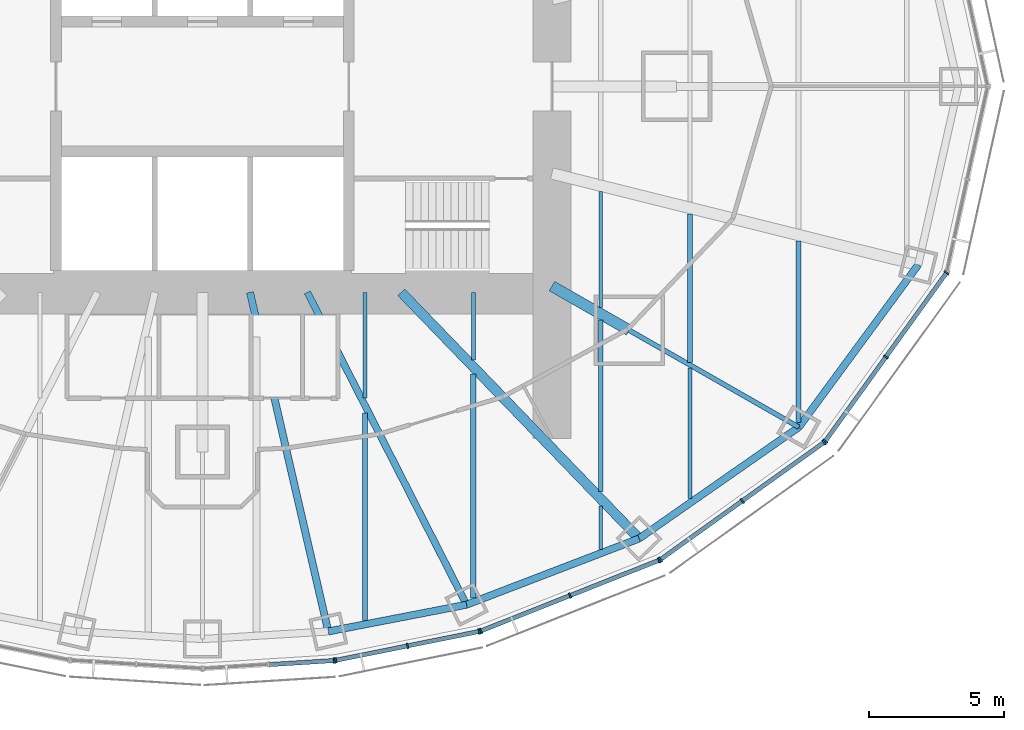
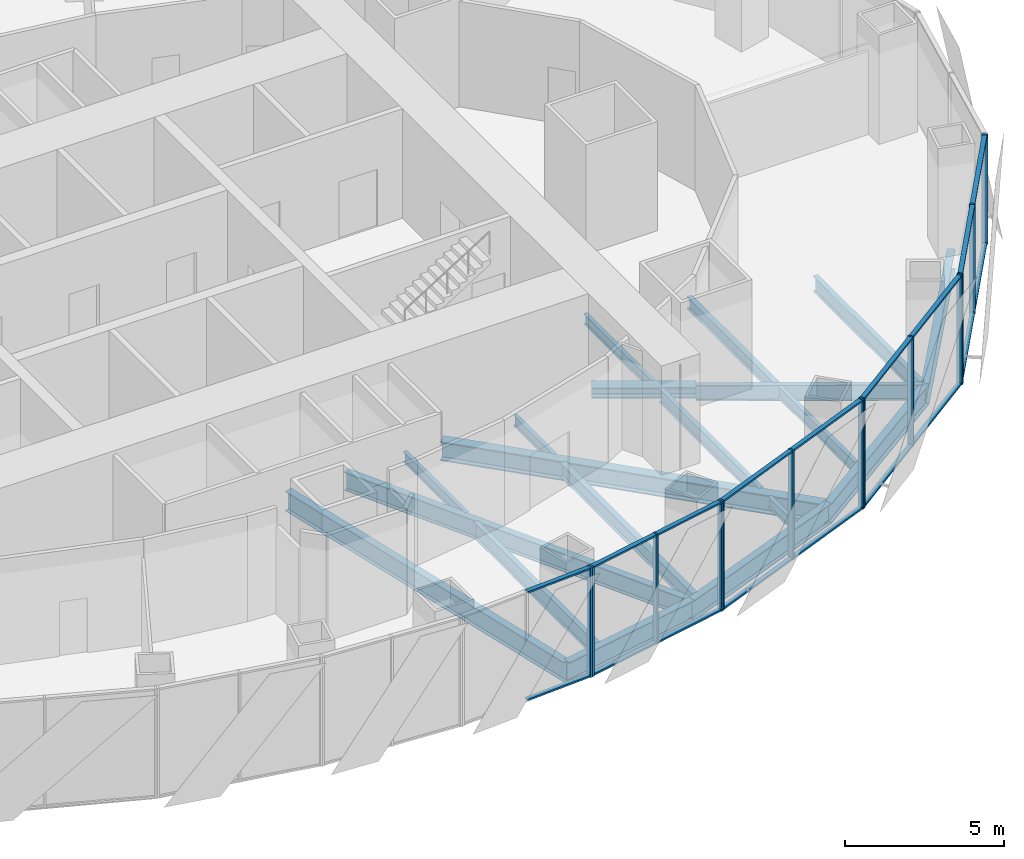
# One storey, part 5 of 18: 31 members, 19 beams, 5 elements without a shape of their own.
"""IFC4 building model written with IfcOpenShell, lengths in metres."""

from ifc_helpers import new_model, si_unit, direction, frame, origin, origin_2d, place, context, subcontext, project, spatial, rectangle, i_section, extrude, material, material_profile, profile_set, type_object, element, aggregate, save


model = new_model("IFC4")

# Units and contexts
model_context = context("Model", 3, precision=1e-05, world=origin(), true_north=direction((0.0, 1.0)))
body_context = subcontext(model_context, "Body", "Model", "MODEL_VIEW")
ifc_project = project(units=[si_unit("LENGTHUNIT", "METRE"), si_unit("AREAUNIT", "SQUARE_METRE"), si_unit("VOLUMEUNIT", "CUBIC_METRE"), si_unit("PLANEANGLEUNIT", "RADIAN"), si_unit("MASSUNIT", "GRAM", prefix="KILO")], contexts=[model_context])

# Site, building, storey
site_placement = place(None, origin())
site = spatial("IfcSite", under=ifc_project, at=site_placement, CompositionType="ELEMENT")
building_placement = place(site_placement, origin())
building = spatial("IfcBuilding", under=site, at=building_placement, Name="Lantaw Convention Tower", CompositionType="ELEMENT")
storey_placement = place(building_placement, frame((0.0, 0.0, 184.60009765625)))
storey = spatial("IfcBuildingStorey", under=building, at=storey_placement, Name="L43", CompositionType="ELEMENT", Elevation=184.60009765625)

# Beams
ifc_material_1 = material(Name="Steel ASTM A992", Category="steel")
ifc_material_profile_1 = material_profile(ifc_material_1, i_section(OverallWidth=0.2666015625, OverallDepth=0.76953125, WebThickness=0.015625, FlangeThickness=0.025390625, FilletRadius=0.0126953125, at=origin_2d()), Name="W30X132")
ifc_profile_set_1 = profile_set([ifc_material_profile_1], Name="Steel ASTM A992")
beam_type_1 = type_object("IfcBeamType", Name="Beam E W30X132", PredefinedType="SPANDREL", material=ifc_profile_set_1)
beam_1_placement = place(storey_placement, frame((4.64501953125, -20.1201171875, -0.534912109375), z_axis=(0.981796805654, 0.189934284446, 0.0), x_axis=(-0.189934284446, 0.981796805654, 0.0)))
element("IfcBeam", 1, at=beam_1_placement, inside=storey, type_object=beam_type_1, Name="Edge beam 20", PredefinedType="SPANDREL", context=body_context, shape_type="SweptSolid", body=[
    extrude(i_section(OverallWidth=0.2666015625, OverallDepth=0.76953125, WebThickness=0.015625, FlangeThickness=0.025390625, FilletRadius=0.0126953125, at=origin_2d()), origin(), (0.0, 0.0, 1.0), 5.1982421875),
])
beam_2_placement = place(storey_placement, frame((9.74853515625, -19.1328125, -0.534912109375), z_axis=(0.933691081977, 0.358079549033, 0.0), x_axis=(-0.358079549033, 0.933691081977, 0.0)))
element("IfcBeam", 2, at=beam_2_placement, inside=storey, type_object=beam_type_1, Name="Edge beam 21", PredefinedType="SPANDREL", context=body_context, shape_type="SweptSolid", body=[
    extrude(i_section(OverallWidth=0.2666015625, OverallDepth=0.76953125, WebThickness=0.015625, FlangeThickness=0.025390625, FilletRadius=0.0126953125, at=origin_2d()), origin(), (0.0, 0.0, 1.0), 6.821533203125),
])
beam_3_placement = place(storey_placement, frame((16.11767578125, -16.690185546875, -0.534912109375), z_axis=(0.820310765287, 0.57191804339, 0.0), x_axis=(-0.57191804339, 0.820310765287, 0.0)))
element("IfcBeam", 3, at=beam_3_placement, inside=storey, type_object=beam_type_1, Name="Edge beam 22", PredefinedType="SPANDREL", context=body_context, shape_type="SweptSolid", body=[
    extrude(i_section(OverallWidth=0.2666015625, OverallDepth=0.76953125, WebThickness=0.015625, FlangeThickness=0.025390625, FilletRadius=0.0126953125, at=origin_2d()), origin(), (0.0, 0.0, 1.0), 7.187744140625),
])
beam_4_placement = place(storey_placement, frame((22.013916015625, -12.579345703125, -0.534912109375), z_axis=(0.5923891972, 0.805651934176, 0.0), x_axis=(-0.805651934176, 0.5923891972, 0.0)))
element("IfcBeam", 4, at=beam_4_placement, inside=storey, type_object=beam_type_1, Name="Edge beam 23", PredefinedType="SPANDREL", context=body_context, shape_type="SweptSolid", body=[
    extrude(i_section(OverallWidth=0.2666015625, OverallDepth=0.76953125, WebThickness=0.015625, FlangeThickness=0.025390625, FilletRadius=0.0126953125, at=origin_2d()), origin(), (0.0, 0.0, 1.0), 7.437744140625),
])
ifc_material_profile_2 = material_profile(ifc_material_1, i_section(OverallWidth=0.177978515625, OverallDepth=0.599365234375, WebThickness=0.010009765625, FlangeThickness=0.012939453125, FilletRadius=0.012939453125, at=origin_2d()), Name="W24X55")
ifc_profile_set_2 = profile_set([ifc_material_profile_2], Name="Steel ASTM A992")
beam_type_2 = type_object("IfcBeamType", Name="Beam G W24X55", PredefinedType="BEAM", material=ifc_profile_set_2)
beam_5_placement = place(storey_placement, frame((15.75, -9.0, -0.44970703125), z_axis=(0.868245224608, -0.496135293993, 0.0), x_axis=(0.496135293993, 0.868245224608, 0.0)))
element("IfcBeam", 5, at=beam_5_placement, inside=storey, type_object=beam_type_2, Name="Floor girder on ray 23", PredefinedType="BEAM", context=body_context, shape_type="SweptSolid", body=[
    extrude(i_section(OverallWidth=0.177978515625, OverallDepth=0.599365234375, WebThickness=0.010009765625, FlangeThickness=0.012939453125, FilletRadius=0.012939453125, at=origin_2d()), origin(), (0.0, 0.0, 1.0), 7.21435546875),
])
ifc_material_profile_3 = material_profile(ifc_material_1, i_section(OverallWidth=0.25390625, OverallDepth=0.700927734375, WebThickness=0.015380859375, FlangeThickness=0.02783203125, FilletRadius=0.01513671875, at=origin_2d()), Name="W27X129")
ifc_profile_set_3 = profile_set([ifc_material_profile_3], Name="Steel ASTM A992")
beam_type_3 = type_object("IfcBeamType", Name="Beam G W27X129", PredefinedType="BEAM", material=ifc_profile_set_3)
beam_6_placement = place(storey_placement, frame((3.872314453125, -7.60009765625, -0.500732421875), z_axis=(0.453991051051, -0.891006243281, 0.0), x_axis=(0.891006243281, 0.453991051051, 0.0)))
element("IfcBeam", 6, at=beam_6_placement, inside=storey, type_object=beam_type_3, Name="Floor girder on ray 21", PredefinedType="BEAM", context=body_context, shape_type="SweptSolid", body=[
    extrude(i_section(OverallWidth=0.25390625, OverallDepth=0.700927734375, WebThickness=0.015380859375, FlangeThickness=0.02783203125, FilletRadius=0.01513671875, at=origin_2d()), origin(), (0.0, 0.0, 1.0), 12.943359375),
])
ifc_material_profile_4 = material_profile(ifc_material_1, i_section(OverallWidth=0.360595703125, OverallDepth=0.72900390625, WebThickness=0.023193359375, FlangeThickness=0.041015625, FilletRadius=0.0126953125, at=origin_2d()), Name="W27X235")
ifc_profile_set_4 = profile_set([ifc_material_profile_4], Name="Steel ASTM A992")
beam_type_4 = type_object("IfcBeamType", Name="Beam G W27X235", PredefinedType="BEAM", material=ifc_profile_set_4)
beam_7_placement = place(storey_placement, frame((7.33935546875, -7.60009765625, -0.5146484375), z_axis=(0.694663467407, -0.719334878239, 0.0), x_axis=(0.719334878239, 0.694663467407, 0.0)))
element("IfcBeam", 7, at=beam_7_placement, inside=storey, type_object=beam_type_4, Name="Floor girder on ray 22", PredefinedType="BEAM", context=body_context, shape_type="SweptSolid", body=[
    extrude(i_section(OverallWidth=0.360595703125, OverallDepth=0.72900390625, WebThickness=0.023193359375, FlangeThickness=0.041015625, FilletRadius=0.0126953125, at=origin_2d()), origin(), (0.0, 0.0, 1.0), 12.63671875),
])
ifc_material_profile_5 = material_profile(ifc_material_1, i_section(OverallWidth=0.2666015625, OverallDepth=0.7568359375, WebThickness=0.013916015625, FlangeThickness=0.019287109375, FilletRadius=0.0126953125, at=origin_2d()), Name="W30X108")
ifc_profile_set_5 = profile_set([ifc_material_profile_5], Name="Steel ASTM A992")
beam_type_5 = type_object("IfcBeamType", Name="Beam G W30X108", PredefinedType="BEAM", material=ifc_profile_set_5)
beam_8_placement = place(storey_placement, frame((1.754638671875, -7.60009765625, -0.528564453125), z_axis=(0.224944153104, -0.974371658036, 0.0), x_axis=(0.974371658036, 0.224944153104, 0.0)))
element("IfcBeam", 8, at=beam_8_placement, inside=storey, type_object=beam_type_5, Name="Floor girder on ray 20", PredefinedType="BEAM", context=body_context, shape_type="SweptSolid", body=[
    extrude(i_section(OverallWidth=0.2666015625, OverallDepth=0.7568359375, WebThickness=0.013916015625, FlangeThickness=0.019287109375, FilletRadius=0.0126953125, at=origin_2d()), origin(), (0.0, 0.0, 1.0), 12.849365234375),
])
ifc_material_profile_6 = material_profile(ifc_material_1, i_section(OverallWidth=0.40380859375, OverallDepth=0.406494140625, WebThickness=0.027099609375, FlangeThickness=0.043701171875, FilletRadius=0.01513671875, at=origin_2d()), Name="W14X233")
ifc_profile_set_6 = profile_set([ifc_material_profile_6], Name="Steel ASTM A992")
beam_type_6 = type_object("IfcBeamType", Name="Beam GM W14X233", PredefinedType="BEAM", material=ifc_profile_set_6)
beam_9_placement = place(storey_placement, frame((12.89990234375, -7.371337890625, -0.353271484375), z_axis=(0.868238565244, -0.496146947811, 0.0), x_axis=(0.496146947811, 0.868238565244, 0.0)))
element("IfcBeam", 9, at=beam_9_placement, inside=storey, type_object=beam_type_6, Name="Core link beam on ray 23", PredefinedType="BEAM", context=body_context, shape_type="SweptSolid", body=[
    extrude(i_section(OverallWidth=0.40380859375, OverallDepth=0.406494140625, WebThickness=0.027099609375, FlangeThickness=0.043701171875, FilletRadius=0.01513671875, at=origin_2d()), origin(), (0.0, 0.0, 1.0), 3.28271484375),
])
ifc_material_profile_7 = material_profile(ifc_material_1, i_section(OverallWidth=0.140380859375, OverallDepth=0.40380859375, WebThickness=0.007080078125, FlangeThickness=0.01123046875, FilletRadius=0.01025390625, at=origin_2d()), Name="W16X31")
ifc_profile_set_7 = profile_set([ifc_material_profile_7], Name="Steel ASTM A992")
beam_type_7 = type_object("IfcBeamType", Name="Beam J W16X31", PredefinedType="JOIST", material=ifc_profile_set_7)
beam_10_placement = place(storey_placement, frame((6.0, -11.495849609375, -0.35205078125), z_axis=(0.0, 1.0, 0.0), x_axis=(-1.0, 0.0, 0.0)))
element("IfcBeam", 10, at=beam_10_placement, inside=storey, type_object=beam_type_7, Name="Floor joist", PredefinedType="JOIST", context=body_context, shape_type="SweptSolid", body=[
    extrude(i_section(OverallWidth=0.140380859375, OverallDepth=0.40380859375, WebThickness=0.007080078125, FlangeThickness=0.01123046875, FilletRadius=0.01025390625, at=origin_2d()), origin(), (0.0, 0.0, 1.0), 3.895751953125),
])
beam_11_placement = place(storey_placement, frame((10.0, -10.095703125, -0.35205078125), z_axis=(0.0, 1.0, 0.0), x_axis=(-1.0, 0.0, 0.0)))
element("IfcBeam", 11, at=beam_11_placement, inside=storey, type_object=beam_type_7, Name="Floor joist", PredefinedType="JOIST", context=body_context, shape_type="SweptSolid", body=[
    extrude(i_section(OverallWidth=0.140380859375, OverallDepth=0.40380859375, WebThickness=0.007080078125, FlangeThickness=0.01123046875, FilletRadius=0.01025390625, at=origin_2d()), origin(), (0.0, 0.0, 1.0), 2.49560546875),
])
beam_12_placement = place(storey_placement, frame((14.699951171875, -17.091064453125, -0.35205078125), z_axis=(0.0, 1.0, 0.0), x_axis=(-1.0, 0.0, 0.0)))
element("IfcBeam", 12, at=beam_12_placement, inside=storey, type_object=beam_type_7, Name="Floor joist", PredefinedType="JOIST", context=body_context, shape_type="SweptSolid", body=[
    extrude(i_section(OverallWidth=0.140380859375, OverallDepth=0.40380859375, WebThickness=0.007080078125, FlangeThickness=0.01123046875, FilletRadius=0.01025390625, at=origin_2d()), origin(), (0.0, 0.0, 1.0), 1.609130859375),
])
beam_13_placement = place(storey_placement, frame((14.699951171875, -8.16748046875, -0.35205078125), z_axis=(0.0, 1.0, 0.0), x_axis=(-1.0, 0.0, 0.0)))
element("IfcBeam", 13, at=beam_13_placement, inside=storey, type_object=beam_type_7, Name="Floor joist", PredefinedType="JOIST", context=body_context, shape_type="SweptSolid", body=[
    extrude(i_section(OverallWidth=0.140380859375, OverallDepth=0.40380859375, WebThickness=0.007080078125, FlangeThickness=0.01123046875, FilletRadius=0.01025390625, at=origin_2d()), origin(), (0.0, 0.0, 1.0), 4.28515625),
])
ifc_material_profile_8 = material_profile(ifc_material_1, i_section(OverallWidth=0.15234375, OverallDepth=0.449462890625, WebThickness=0.007568359375, FlangeThickness=0.0107421875, FilletRadius=0.01025390625, at=origin_2d()), Name="W18X35")
ifc_profile_set_8 = profile_set([ifc_material_profile_8], Name="Steel ASTM A992")
beam_type_8 = type_object("IfcBeamType", Name="Beam J W18X35", PredefinedType="JOIST", material=ifc_profile_set_8)
beam_14_placement = place(storey_placement, frame((18.0, -15.21533203125, -0.375), z_axis=(0.0, 1.0, 0.0), x_axis=(-1.0, 0.0, 0.0)))
element("IfcBeam", 14, at=beam_14_placement, inside=storey, type_object=beam_type_8, Name="Floor joist", PredefinedType="JOIST", context=body_context, shape_type="SweptSolid", body=[
    extrude(i_section(OverallWidth=0.15234375, OverallDepth=0.449462890625, WebThickness=0.007568359375, FlangeThickness=0.0107421875, FilletRadius=0.01025390625, at=origin_2d()), origin(), (0.0, 0.0, 1.0), 4.8271484375),
])
ifc_material_profile_9 = material_profile(ifc_material_1, i_section(OverallWidth=0.1904296875, OverallDepth=0.457275390625, WebThickness=0.009033203125, FlangeThickness=0.014404296875, FilletRadius=0.01025390625, at=origin_2d()), Name="W18X50")
ifc_profile_set_9 = profile_set([ifc_material_profile_9], Name="Steel ASTM A992")
beam_type_9 = type_object("IfcBeamType", Name="Beam J W18X50", PredefinedType="JOIST", material=ifc_profile_set_9)
beam_15_placement = place(storey_placement, frame((18.0, -10.18310546875, -0.378662109375), z_axis=(0.0, 1.0, 0.0), x_axis=(-1.0, 0.0, 0.0)))
element("IfcBeam", 15, at=beam_15_placement, inside=storey, type_object=beam_type_9, Name="Floor joist", PredefinedType="JOIST", context=body_context, shape_type="SweptSolid", body=[
    extrude(i_section(OverallWidth=0.1904296875, OverallDepth=0.457275390625, WebThickness=0.009033203125, FlangeThickness=0.014404296875, FilletRadius=0.01025390625, at=origin_2d()), origin(), (0.0, 0.0, 1.0), 5.47802734375),
])
ifc_material_profile_10 = material_profile(ifc_material_1, i_section(OverallWidth=0.1650390625, OverallDepth=0.52587890625, WebThickness=0.0087890625, FlangeThickness=0.011474609375, FilletRadius=0.0126953125, at=origin_2d()), Name="W21X44")
ifc_profile_set_10 = profile_set([ifc_material_profile_10], Name="Steel ASTM A992")
beam_type_10 = type_object("IfcBeamType", Name="Beam J W21X44", PredefinedType="JOIST", material=ifc_profile_set_10)
beam_16_placement = place(storey_placement, frame((14.699951171875, -14.962646484375, -0.4130859375), z_axis=(0.0, 1.0, 0.0), x_axis=(-1.0, 0.0, 0.0)))
element("IfcBeam", 16, at=beam_16_placement, inside=storey, type_object=beam_type_10, Name="Floor joist", PredefinedType="JOIST", context=body_context, shape_type="SweptSolid", body=[
    extrude(i_section(OverallWidth=0.1650390625, OverallDepth=0.52587890625, WebThickness=0.0087890625, FlangeThickness=0.011474609375, FilletRadius=0.0126953125, at=origin_2d()), origin(), (0.0, 0.0, 1.0), 6.330078125),
])
ifc_material_profile_11 = material_profile(ifc_material_1, i_section(OverallWidth=0.2099609375, OverallDepth=0.535888671875, WebThickness=0.010986328125, FlangeThickness=0.017333984375, FilletRadius=0.012939453125, at=origin_2d()), Name="W21X68")
ifc_profile_set_11 = profile_set([ifc_material_profile_11], Name="Steel ASTM A992")
beam_type_11 = type_object("IfcBeamType", Name="Beam J W21X68", PredefinedType="JOIST", material=ifc_profile_set_11)
beam_17_placement = place(storey_placement, frame((10.0, -18.8935546875, -0.41796875), z_axis=(0.0, 1.0, 0.0), x_axis=(-1.0, 0.0, 0.0)))
element("IfcBeam", 17, at=beam_17_placement, inside=storey, type_object=beam_type_11, Name="Floor joist", PredefinedType="JOIST", context=body_context, shape_type="SweptSolid", body=[
    extrude(i_section(OverallWidth=0.2099609375, OverallDepth=0.535888671875, WebThickness=0.010986328125, FlangeThickness=0.017333984375, FilletRadius=0.012939453125, at=origin_2d()), origin(), (0.0, 0.0, 1.0), 8.278564453125),
])
ifc_material_profile_12 = material_profile(ifc_material_1, i_section(OverallWidth=0.177978515625, OverallDepth=0.599365234375, WebThickness=0.010009765625, FlangeThickness=0.012939453125, FilletRadius=0.012939453125, at=origin_2d()), Name="W24X55")
ifc_profile_set_12 = profile_set([ifc_material_profile_12], Name="Steel ASTM A992")
beam_type_12 = type_object("IfcBeamType", Name="Beam J W24X55", PredefinedType="JOIST", material=ifc_profile_set_12)
beam_18_placement = place(storey_placement, frame((6.0, -19.72216796875, -0.44970703125), z_axis=(0.0, 1.0, 0.0), x_axis=(-1.0, 0.0, 0.0)))
element("IfcBeam", 18, at=beam_18_placement, inside=storey, type_object=beam_type_12, Name="Floor joist", PredefinedType="JOIST", context=body_context, shape_type="SweptSolid", body=[
    extrude(i_section(OverallWidth=0.177978515625, OverallDepth=0.599365234375, WebThickness=0.010009765625, FlangeThickness=0.012939453125, FilletRadius=0.012939453125, at=origin_2d()), origin(), (0.0, 0.0, 1.0), 7.666748046875),
])
beam_19_placement = place(storey_placement, frame((22.0, -12.408935546875, -0.44970703125), z_axis=(0.0, 1.0, 0.0), x_axis=(-1.0, 0.0, 0.0)))
element("IfcBeam", 19, at=beam_19_placement, inside=storey, type_object=beam_type_12, Name="Floor joist", PredefinedType="JOIST", context=body_context, shape_type="SweptSolid", body=[
    extrude(i_section(OverallWidth=0.177978515625, OverallDepth=0.599365234375, WebThickness=0.010009765625, FlangeThickness=0.012939453125, FilletRadius=0.012939453125, at=origin_2d()), origin(), (0.0, 0.0, 1.0), 6.70654296875),
])

# Curtain wall, member
ifc_material_2 = material(Name="Aluminium framed curtain wall", Category="aluminium")
curtain_wall_type = type_object("IfcCurtainWallType", Name="Office curtain wall low rise, pale aluminium", PredefinedType="USERDEFINED", material=ifc_material_2)
curtain_wall_1_placement = place(storey_placement, origin())
curtain_wall_1 = element("IfcCurtainWall", 20, at=curtain_wall_1_placement, inside=storey, type_object=curtain_wall_type, Name="Office curtain wall low rise, pale aluminium L43", ObjectType="UNITISED CURTAIN WALL", PredefinedType="USERDEFINED")
ifc_material_3 = material(Name="Aluminium 6063-T6", Category="aluminium")
ifc_material_profile_13 = material_profile(ifc_material_3, rectangle(XDim=0.199951171875, YDim=0.06494140625, at=origin_2d()), Name="CW-O1 mullion 65x200")
ifc_profile_set_13 = profile_set([ifc_material_profile_13], Name="Aluminium 6063-T6")
member_type_1 = type_object("IfcMemberType", Name="CW-O1 mullion 65x200", PredefinedType="MULLION", material=ifc_profile_set_13)
member_1_placement = place(storey_placement, frame((4.860107421875, -21.19384765625, -0.150146484375), z_axis=(0.0, 0.0, 1.0), x_axis=(-0.062865059466, 0.998022035978, 0.0)))
member_1 = element("IfcMember", 21, at=member_1_placement, type_object=member_type_1, Name="CW-O1 mullion 3", PredefinedType="MULLION", context=body_context, shape_type="SweptSolid", body=[
    extrude(rectangle(XDim=0.199951171875, YDim=0.06494140625, at=origin_2d()), origin(), (0.0, 0.0, 1.0), 4.199951171875),
])

# Curtain wall, members
curtain_wall_2_placement = place(storey_placement, origin())
curtain_wall_2 = element("IfcCurtainWall", 22, at=curtain_wall_2_placement, inside=storey, type_object=curtain_wall_type, Name="Office curtain wall low rise, pale aluminium L43", ObjectType="UNITISED CURTAIN WALL", PredefinedType="USERDEFINED")
member_2_placement = place(storey_placement, frame((4.92431640625, -21.185302734375, -0.150146484375), z_axis=(0.0, 0.0, 1.0), x_axis=(-0.197506809659, 0.980301514912, 0.0)))
member_2 = element("IfcMember", 23, at=member_2_placement, type_object=member_type_1, Name="CW-O1 mullion 1", PredefinedType="MULLION", context=body_context, shape_type="SweptSolid", body=[
    extrude(rectangle(XDim=0.199951171875, YDim=0.06494140625, at=origin_2d()), origin(), (0.0, 0.0, 1.0), 4.199951171875),
])
member_3_placement = place(storey_placement, frame((7.5703125, -20.65234375, -0.150146484375), z_axis=(0.0, 0.0, 1.0), x_axis=(-0.197506809659, 0.980301514912, 0.0)))
member_3 = element("IfcMember", 24, at=member_3_placement, type_object=member_type_1, Name="CW-O1 mullion 2", PredefinedType="MULLION", context=body_context, shape_type="SweptSolid", body=[
    extrude(rectangle(XDim=0.199951171875, YDim=0.06494140625, at=origin_2d()), origin(), (0.0, 0.0, 1.0), 4.199951171875),
])
member_4_placement = place(storey_placement, frame((10.216064453125, -20.119140625, -0.150146484375), z_axis=(0.0, 0.0, 1.0), x_axis=(-0.197506809659, 0.980301514912, 0.0)))
member_4 = element("IfcMember", 25, at=member_4_placement, type_object=member_type_1, Name="CW-O1 mullion 3", PredefinedType="MULLION", context=body_context, shape_type="SweptSolid", body=[
    extrude(rectangle(XDim=0.199951171875, YDim=0.06494140625, at=origin_2d()), origin(), (0.0, 0.0, 1.0), 4.199951171875),
])

curtain_wall_3_placement = place(storey_placement, origin())
curtain_wall_3 = element("IfcCurtainWall", 26, at=curtain_wall_3_placement, inside=storey, type_object=curtain_wall_type, Name="Office curtain wall low rise, pale aluminium L43", ObjectType="UNITISED CURTAIN WALL", PredefinedType="USERDEFINED")
member_5_placement = place(storey_placement, frame((10.2783203125, -20.100830078125, -0.150146484375), z_axis=(0.0, 0.0, 1.0), x_axis=(-0.368701907483, 0.929547687544, 0.0)))
member_5 = element("IfcMember", 27, at=member_5_placement, type_object=member_type_1, Name="CW-O1 mullion 1", PredefinedType="MULLION", context=body_context, shape_type="SweptSolid", body=[
    extrude(rectangle(XDim=0.199951171875, YDim=0.06494140625, at=origin_2d()), origin(), (0.0, 0.0, 1.0), 4.199951171875),
])
member_6_placement = place(storey_placement, frame((13.56494140625, -18.797119140625, -0.150146484375), z_axis=(0.0, 0.0, 1.0), x_axis=(-0.368701907483, 0.929547687544, 0.0)))
member_6 = element("IfcMember", 28, at=member_6_placement, type_object=member_type_1, Name="CW-O1 mullion 2", PredefinedType="MULLION", context=body_context, shape_type="SweptSolid", body=[
    extrude(rectangle(XDim=0.199951171875, YDim=0.06494140625, at=origin_2d()), origin(), (0.0, 0.0, 1.0), 4.199951171875),
])
member_7_placement = place(storey_placement, frame((16.8515625, -17.49365234375, -0.150146484375), z_axis=(0.0, 0.0, 1.0), x_axis=(-0.368701907483, 0.929547687544, 0.0)))
member_7 = element("IfcMember", 29, at=member_7_placement, type_object=member_type_1, Name="CW-O1 mullion 3", PredefinedType="MULLION", context=body_context, shape_type="SweptSolid", body=[
    extrude(rectangle(XDim=0.199951171875, YDim=0.06494140625, at=origin_2d()), origin(), (0.0, 0.0, 1.0), 4.199951171875),
])

curtain_wall_4_placement = place(storey_placement, origin())
curtain_wall_4 = element("IfcCurtainWall", 30, at=curtain_wall_4_placement, inside=storey, type_object=curtain_wall_type, Name="Office curtain wall low rise, pale aluminium L43", ObjectType="UNITISED CURTAIN WALL", PredefinedType="USERDEFINED")
member_8_placement = place(storey_placement, frame((16.908203125, -17.462646484375, -0.150146484375), z_axis=(0.0, 0.0, 1.0), x_axis=(-0.581972695693, 0.813208325995, 0.0)))
member_8 = element("IfcMember", 31, at=member_8_placement, type_object=member_type_1, Name="CW-O1 mullion 1", PredefinedType="MULLION", context=body_context, shape_type="SweptSolid", body=[
    extrude(rectangle(XDim=0.199951171875, YDim=0.06494140625, at=origin_2d()), origin(), (0.0, 0.0, 1.0), 4.199951171875),
])
member_9_placement = place(storey_placement, frame((19.92529296875, -15.303466796875, -0.150146484375), z_axis=(0.0, 0.0, 1.0), x_axis=(-0.581972695693, 0.813208325995, 0.0)))
member_9 = element("IfcMember", 32, at=member_9_placement, type_object=member_type_1, Name="CW-O1 mullion 2", PredefinedType="MULLION", context=body_context, shape_type="SweptSolid", body=[
    extrude(rectangle(XDim=0.199951171875, YDim=0.06494140625, at=origin_2d()), origin(), (0.0, 0.0, 1.0), 4.199951171875),
])
member_10_placement = place(storey_placement, frame((22.942626953125, -13.14404296875, -0.150146484375), z_axis=(0.0, 0.0, 1.0), x_axis=(-0.581972695693, 0.813208325995, 0.0)))
member_10 = element("IfcMember", 33, at=member_10_placement, type_object=member_type_1, Name="CW-O1 mullion 3", PredefinedType="MULLION", context=body_context, shape_type="SweptSolid", body=[
    extrude(rectangle(XDim=0.199951171875, YDim=0.06494140625, at=origin_2d()), origin(), (0.0, 0.0, 1.0), 4.199951171875),
])

curtain_wall_5_placement = place(storey_placement, origin())
curtain_wall_5 = element("IfcCurtainWall", 34, at=curtain_wall_5_placement, inside=storey, type_object=curtain_wall_type, Name="Office curtain wall low rise, pale aluminium L43", ObjectType="UNITISED CURTAIN WALL", PredefinedType="USERDEFINED")
member_11_placement = place(storey_placement, frame((22.988037109375, -13.098876953125, -0.150146484375), z_axis=(0.0, 0.0, 1.0), x_axis=(-0.811384633629, 0.584512597221, 0.0)))
member_11 = element("IfcMember", 35, at=member_11_placement, type_object=member_type_1, Name="CW-O1 mullion 1", PredefinedType="MULLION", context=body_context, shape_type="SweptSolid", body=[
    extrude(rectangle(XDim=0.199951171875, YDim=0.06494140625, at=origin_2d()), origin(), (0.0, 0.0, 1.0), 4.199951171875),
])
member_12_placement = place(storey_placement, frame((25.22802734375, -9.9892578125, -0.150146484375), z_axis=(0.0, 0.0, 1.0), x_axis=(-0.811384633629, 0.584512597221, 0.0)))
member_12 = element("IfcMember", 36, at=member_12_placement, type_object=member_type_1, Name="CW-O1 mullion 2", PredefinedType="MULLION", context=body_context, shape_type="SweptSolid", body=[
    extrude(rectangle(XDim=0.199951171875, YDim=0.06494140625, at=origin_2d()), origin(), (0.0, 0.0, 1.0), 4.199951171875),
])
member_13_placement = place(storey_placement, frame((27.46826171875, -6.879638671875, -0.150146484375), z_axis=(0.0, 0.0, 1.0), x_axis=(-0.811384633629, 0.584512597221, 0.0)))
member_13 = element("IfcMember", 37, at=member_13_placement, type_object=member_type_1, Name="CW-O1 mullion 3", PredefinedType="MULLION", context=body_context, shape_type="SweptSolid", body=[
    extrude(rectangle(XDim=0.199951171875, YDim=0.06494140625, at=origin_2d()), origin(), (0.0, 0.0, 1.0), 4.199951171875),
])

# Member
ifc_material_profile_14 = material_profile(ifc_material_3, rectangle(XDim=0.159912109375, YDim=0.06494140625, at=origin_2d()), Name="CW-O1 transom 65x160")
ifc_profile_set_14 = profile_set([ifc_material_profile_14], Name="Aluminium 6063-T6")
member_type_2 = type_object("IfcMemberType", Name="CW-O1 transom 65x160", PredefinedType="USERDEFINED", material=ifc_profile_set_14)
member_14_placement = place(storey_placement, frame((2.478759765625, -21.34375, -0.11767578125), z_axis=(0.998022188463, 0.062862638625, 0.0), x_axis=(-0.062862638625, 0.998022188463, 0.0)))
member_14 = element("IfcMember", 38, at=member_14_placement, type_object=member_type_2, Name="CW-O1 transom 2.1", ObjectType="TRANSOM", PredefinedType="USERDEFINED", context=body_context, shape_type="SweptSolid", body=[
    extrude(rectangle(XDim=0.159912109375, YDim=0.06494140625, at=origin_2d()), origin(), (0.0, 0.0, 1.0), 2.353515625),
])

member_15_placement = place(storey_placement, frame((2.478759765625, -21.34375, 4.017333984375), z_axis=(0.998022188463, 0.062862638625, 0.0), x_axis=(-0.062862638625, 0.998022188463, 0.0)))
member_15 = element("IfcMember", 39, at=member_15_placement, type_object=member_type_2, Name="CW-O1 transom 2.2", ObjectType="TRANSOM", PredefinedType="USERDEFINED", context=body_context, shape_type="SweptSolid", body=[
    extrude(rectangle(XDim=0.159912109375, YDim=0.06494140625, at=origin_2d()), origin(), (0.0, 0.0, 1.0), 2.353515625),
])

aggregate(curtain_wall_1, [member_1, member_14, member_15])

member_16_placement = place(storey_placement, frame((4.956298828125, -21.178955078125, -0.11767578125), z_axis=(0.980298027092, 0.197524120247, 0.0), x_axis=(-0.197524120247, 0.980298027092, 0.0)))
member_16 = element("IfcMember", 40, at=member_16_placement, type_object=member_type_2, Name="CW-O1 transom 1.1", ObjectType="TRANSOM", PredefinedType="USERDEFINED", context=body_context, shape_type="SweptSolid", body=[
    extrude(rectangle(XDim=0.159912109375, YDim=0.06494140625, at=origin_2d()), origin(), (0.0, 0.0, 1.0), 2.634033203125),
])

member_17_placement = place(storey_placement, frame((4.956298828125, -21.178955078125, 4.017333984375), z_axis=(0.980298027092, 0.197524120247, 0.0), x_axis=(-0.197524120247, 0.980298027092, 0.0)))
member_17 = element("IfcMember", 41, at=member_17_placement, type_object=member_type_2, Name="CW-O1 transom 1.2", ObjectType="TRANSOM", PredefinedType="USERDEFINED", context=body_context, shape_type="SweptSolid", body=[
    extrude(rectangle(XDim=0.159912109375, YDim=0.06494140625, at=origin_2d()), origin(), (0.0, 0.0, 1.0), 2.634033203125),
])

member_18_placement = place(storey_placement, frame((7.60205078125, -20.64599609375, -0.11767578125), z_axis=(0.980301643003, 0.197506173891, 0.0), x_axis=(-0.197506173891, 0.980301643003, 0.0)))
member_18 = element("IfcMember", 42, at=member_18_placement, type_object=member_type_2, Name="CW-O1 transom 2.1", ObjectType="TRANSOM", PredefinedType="USERDEFINED", context=body_context, shape_type="SweptSolid", body=[
    extrude(rectangle(XDim=0.159912109375, YDim=0.06494140625, at=origin_2d()), origin(), (0.0, 0.0, 1.0), 2.63427734375),
])

member_19_placement = place(storey_placement, frame((7.60205078125, -20.64599609375, 4.017333984375), z_axis=(0.980301643003, 0.197506173891, 0.0), x_axis=(-0.197506173891, 0.980301643003, 0.0)))
member_19 = element("IfcMember", 43, at=member_19_placement, type_object=member_type_2, Name="CW-O1 transom 2.2", ObjectType="TRANSOM", PredefinedType="USERDEFINED", context=body_context, shape_type="SweptSolid", body=[
    extrude(rectangle(XDim=0.159912109375, YDim=0.06494140625, at=origin_2d()), origin(), (0.0, 0.0, 1.0), 2.63427734375),
])

aggregate(curtain_wall_2, [member_2, member_3, member_4, member_16, member_17, member_18, member_19])

member_20_placement = place(storey_placement, frame((10.308349609375, -20.0888671875, -0.11767578125), z_axis=(0.929540081544, 0.368721082668, 0.0), x_axis=(-0.368721082668, 0.929540081544, 0.0)))
member_20 = element("IfcMember", 44, at=member_20_placement, type_object=member_type_2, Name="CW-O1 transom 1.1", ObjectType="TRANSOM", PredefinedType="USERDEFINED", context=body_context, shape_type="SweptSolid", body=[
    extrude(rectangle(XDim=0.159912109375, YDim=0.06494140625, at=origin_2d()), origin(), (0.0, 0.0, 1.0), 3.470947265625),
])

member_21_placement = place(storey_placement, frame((10.308349609375, -20.0888671875, 4.017333984375), z_axis=(0.929540081544, 0.368721082668, 0.0), x_axis=(-0.368721082668, 0.929540081544, 0.0)))
member_21 = element("IfcMember", 45, at=member_21_placement, type_object=member_type_2, Name="CW-O1 transom 1.2", ObjectType="TRANSOM", PredefinedType="USERDEFINED", context=body_context, shape_type="SweptSolid", body=[
    extrude(rectangle(XDim=0.159912109375, YDim=0.06494140625, at=origin_2d()), origin(), (0.0, 0.0, 1.0), 3.470947265625),
])

member_22_placement = place(storey_placement, frame((13.594970703125, -18.78515625, -0.11767578125), z_axis=(0.929564188507, 0.368660303592, 0.0), x_axis=(-0.368660303592, 0.929564188507, 0.0)))
member_22 = element("IfcMember", 46, at=member_22_placement, type_object=member_type_2, Name="CW-O1 transom 2.1", ObjectType="TRANSOM", PredefinedType="USERDEFINED", context=body_context, shape_type="SweptSolid", body=[
    extrude(rectangle(XDim=0.159912109375, YDim=0.06494140625, at=origin_2d()), origin(), (0.0, 0.0, 1.0), 3.470703125),
])

member_23_placement = place(storey_placement, frame((13.594970703125, -18.78515625, 4.017333984375), z_axis=(0.929564188507, 0.368660303592, 0.0), x_axis=(-0.368660303592, 0.929564188507, 0.0)))
member_23 = element("IfcMember", 47, at=member_23_placement, type_object=member_type_2, Name="CW-O1 transom 2.2", ObjectType="TRANSOM", PredefinedType="USERDEFINED", context=body_context, shape_type="SweptSolid", body=[
    extrude(rectangle(XDim=0.159912109375, YDim=0.06494140625, at=origin_2d()), origin(), (0.0, 0.0, 1.0), 3.470703125),
])

aggregate(curtain_wall_3, [member_5, member_6, member_7, member_20, member_21, member_22, member_23])

member_24_placement = place(storey_placement, frame((16.9345703125, -17.44384765625, -0.11767578125), z_axis=(0.813190089133, 0.581998177777, 0.0), x_axis=(-0.581998177777, 0.813190089133, 0.0)))
member_24 = element("IfcMember", 48, at=member_24_placement, type_object=member_type_2, Name="CW-O1 transom 1.1", ObjectType="TRANSOM", PredefinedType="USERDEFINED", context=body_context, shape_type="SweptSolid", body=[
    extrude(rectangle(XDim=0.159912109375, YDim=0.06494140625, at=origin_2d()), origin(), (0.0, 0.0, 1.0), 3.645263671875),
])

member_25_placement = place(storey_placement, frame((16.9345703125, -17.44384765625, 4.017333984375), z_axis=(0.813190089133, 0.581998177777, 0.0), x_axis=(-0.581998177777, 0.813190089133, 0.0)))
member_25 = element("IfcMember", 49, at=member_25_placement, type_object=member_type_2, Name="CW-O1 transom 1.2", ObjectType="TRANSOM", PredefinedType="USERDEFINED", context=body_context, shape_type="SweptSolid", body=[
    extrude(rectangle(XDim=0.159912109375, YDim=0.06494140625, at=origin_2d()), origin(), (0.0, 0.0, 1.0), 3.645263671875),
])

member_26_placement = place(storey_placement, frame((19.951904296875, -15.284423828125, -0.11767578125), z_axis=(0.813221785972, 0.581953887194, 0.0), x_axis=(-0.581953887194, 0.813221785972, 0.0)))
member_26 = element("IfcMember", 50, at=member_26_placement, type_object=member_type_2, Name="CW-O1 transom 2.1", ObjectType="TRANSOM", PredefinedType="USERDEFINED", context=body_context, shape_type="SweptSolid", body=[
    extrude(rectangle(XDim=0.159912109375, YDim=0.06494140625, at=origin_2d()), origin(), (0.0, 0.0, 1.0), 3.645263671875),
])

member_27_placement = place(storey_placement, frame((19.951904296875, -15.284423828125, 4.017333984375), z_axis=(0.813221785972, 0.581953887194, 0.0), x_axis=(-0.581953887194, 0.813221785972, 0.0)))
member_27 = element("IfcMember", 51, at=member_27_placement, type_object=member_type_2, Name="CW-O1 transom 2.2", ObjectType="TRANSOM", PredefinedType="USERDEFINED", context=body_context, shape_type="SweptSolid", body=[
    extrude(rectangle(XDim=0.159912109375, YDim=0.06494140625, at=origin_2d()), origin(), (0.0, 0.0, 1.0), 3.645263671875),
])

aggregate(curtain_wall_4, [member_8, member_9, member_10, member_24, member_25, member_26, member_27])

member_28_placement = place(storey_placement, frame((23.007080078125, -13.072509765625, -0.11767578125), z_axis=(0.584512973979, 0.811384362217, 0.0), x_axis=(-0.811384362217, 0.584512973979, 0.0)))
member_28 = element("IfcMember", 52, at=member_28_placement, type_object=member_type_2, Name="CW-O1 transom 1.1", ObjectType="TRANSOM", PredefinedType="USERDEFINED", context=body_context, shape_type="SweptSolid", body=[
    extrude(rectangle(XDim=0.159912109375, YDim=0.06494140625, at=origin_2d()), origin(), (0.0, 0.0, 1.0), 3.767578125),
])

member_29_placement = place(storey_placement, frame((23.007080078125, -13.072509765625, 4.017333984375), z_axis=(0.584512973979, 0.811384362217, 0.0), x_axis=(-0.811384362217, 0.584512973979, 0.0)))
member_29 = element("IfcMember", 53, at=member_29_placement, type_object=member_type_2, Name="CW-O1 transom 1.2", ObjectType="TRANSOM", PredefinedType="USERDEFINED", context=body_context, shape_type="SweptSolid", body=[
    extrude(rectangle(XDim=0.159912109375, YDim=0.06494140625, at=origin_2d()), origin(), (0.0, 0.0, 1.0), 3.767578125),
])

member_30_placement = place(storey_placement, frame((25.2470703125, -9.962890625, -0.11767578125), z_axis=(0.584512973979, 0.811384362217, 0.0), x_axis=(-0.811384362217, 0.584512973979, 0.0)))
member_30 = element("IfcMember", 54, at=member_30_placement, type_object=member_type_2, Name="CW-O1 transom 2.1", ObjectType="TRANSOM", PredefinedType="USERDEFINED", context=body_context, shape_type="SweptSolid", body=[
    extrude(rectangle(XDim=0.159912109375, YDim=0.06494140625, at=origin_2d()), origin(), (0.0, 0.0, 1.0), 3.767578125),
])

member_31_placement = place(storey_placement, frame((25.2470703125, -9.962890625, 4.017333984375), z_axis=(0.584512973979, 0.811384362217, 0.0), x_axis=(-0.811384362217, 0.584512973979, 0.0)))
member_31 = element("IfcMember", 55, at=member_31_placement, type_object=member_type_2, Name="CW-O1 transom 2.2", ObjectType="TRANSOM", PredefinedType="USERDEFINED", context=body_context, shape_type="SweptSolid", body=[
    extrude(rectangle(XDim=0.159912109375, YDim=0.06494140625, at=origin_2d()), origin(), (0.0, 0.0, 1.0), 3.767578125),
])

aggregate(curtain_wall_5, [member_11, member_12, member_13, member_28, member_29, member_30, member_31])

save(model, "model.ifc")
